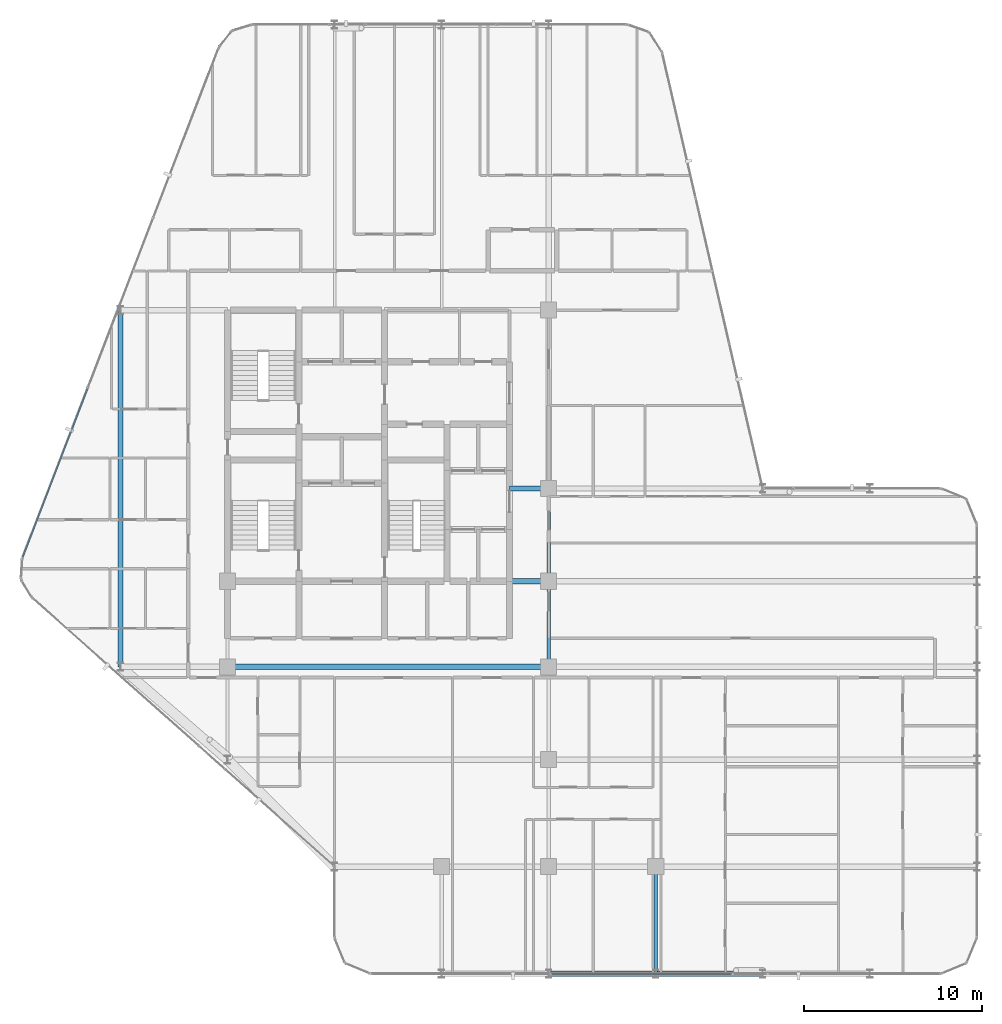
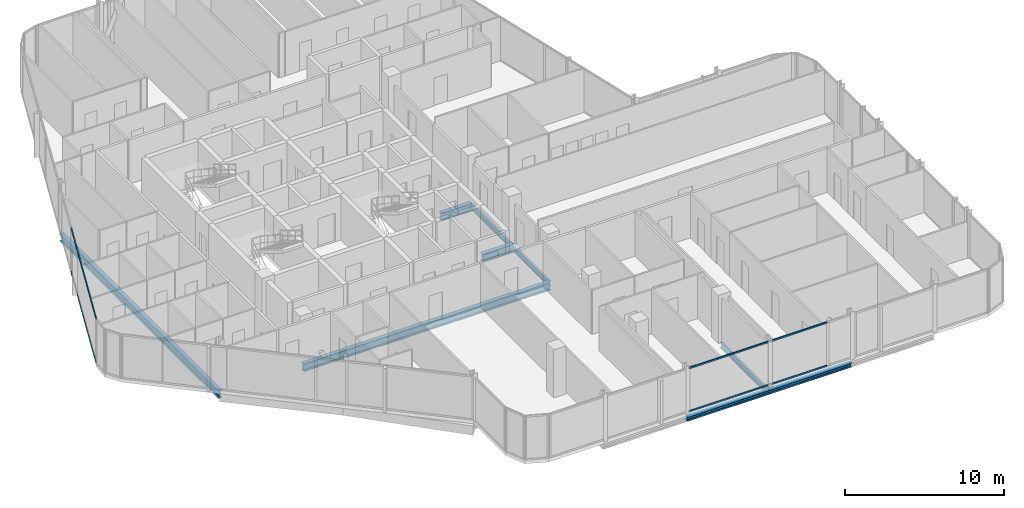
# One storey, part 9 of 29: 9 beams, 4 members, 2 elements without a shape of their own.
"""IFC4 building model written with IfcOpenShell, lengths in metres."""

from ifc_helpers import new_model, si_unit, direction, frame, origin, origin_2d, place, context, subcontext, project, spatial, hollow_rectangle, i_section, extrude, material, layer, layer_set, material_profile, profile_set, type_object, element, aggregate, save


model = new_model("IFC4")

# Units and contexts
model_context = context("Model", 3, precision=1e-05, world=origin(), true_north=direction((0.0, 1.0)))
body_context = subcontext(model_context, "Body", "Model", "MODEL_VIEW")
ifc_project = project(units=[si_unit("LENGTHUNIT", "METRE"), si_unit("AREAUNIT", "SQUARE_METRE"), si_unit("VOLUMEUNIT", "CUBIC_METRE"), si_unit("PLANEANGLEUNIT", "RADIAN"), si_unit("MASSUNIT", "GRAM", prefix="KILO")], contexts=[model_context])

# Site, building, storey
site_placement = place(None, origin())
site = spatial("IfcSite", under=ifc_project, at=site_placement, CompositionType="ELEMENT")
building_placement = place(site_placement, origin())
building = spatial("IfcBuilding", under=site, at=building_placement, Name="Keshet Zoharim Tower", CompositionType="ELEMENT")
storey_placement = place(building_placement, frame((0.0, 0.0, 203.199951171875)))
storey = spatial("IfcBuildingStorey", under=building, at=storey_placement, Name="L50", CompositionType="ELEMENT", Elevation=203.199951171875)

# Beams
ifc_material_1 = material(Name="Steel S355", Category="steel")
ifc_material_profile_1 = material_profile(ifc_material_1, i_section(OverallWidth=0.300048828125, OverallDepth=0.60009765625, WebThickness=0.015380859375, FlangeThickness=0.030029296875, FilletRadius=0.027099609375, at=origin_2d()), Name="HEB600")
ifc_profile_set_1 = profile_set([ifc_material_profile_1], Name="Steel S355")
beam_type_1 = type_object("IfcBeamType", Name="BM-CLK-HB600", PredefinedType="BEAM", material=ifc_profile_set_1)
for number, where, z_axis, x_axis, name in (
    (1, (30.800048828125, 22.699951171875, -0.60986328125), (1.0, 0.0, 0.0), (0.0, 1.0, 0.0), "L50 Core Wall Link Girder 01"),
    (2, (30.800048828125, 27.89990234375, -0.60986328125), (1.0, 0.0, 0.0), (0.0, 1.0, 0.0), "L50 Core Wall Link Girder 02"),
):
    element("IfcBeam", number, at=place(storey_placement, frame(where, z_axis=z_axis, x_axis=x_axis)), inside=storey, type_object=beam_type_1, Name=name, PredefinedType="BEAM", context=body_context, shape_type="SweptSolid", body=[
        extrude(i_section(OverallWidth=0.300048828125, OverallDepth=0.60009765625, WebThickness=0.015380859375, FlangeThickness=0.030029296875, FilletRadius=0.027099609375, at=origin_2d()), origin(), (0.0, 0.0, 1.0), 2.199951171875),
    ])
ifc_material_profile_2 = material_profile(ifc_material_1, i_section(OverallWidth=0.300048828125, OverallDepth=0.60009765625, WebThickness=0.015380859375, FlangeThickness=0.030029296875, FilletRadius=0.027099609375, at=origin_2d()), Name="HEB600")
ifc_profile_set_2 = profile_set([ifc_material_profile_2], Name="Steel S355")
beam_type_2 = type_object("IfcBeamType", Name="BM-LNG-HB600", PredefinedType="BEAM", material=ifc_profile_set_2)
beam_1_placement = place(storey_placement, frame((15.0, 17.89990234375, -0.60986328125), z_axis=(1.0, 0.0, 0.0), x_axis=(0.0, 1.0, 0.0)))
element("IfcBeam", 3, at=beam_1_placement, inside=storey, type_object=beam_type_2, Name="L50 Primary Girder X-012", PredefinedType="BEAM", context=body_context, shape_type="SweptSolid", body=[
    extrude(i_section(OverallWidth=0.300048828125, OverallDepth=0.60009765625, WebThickness=0.015380859375, FlangeThickness=0.030029296875, FilletRadius=0.027099609375, at=origin_2d()), origin(), (0.0, 0.0, 1.0), 18.0),
])
beam_2_placement = place(storey_placement, frame((9.0, 17.89990234375, -0.60986328125), z_axis=(0.0, 1.0, 0.0), x_axis=(-1.0, 0.0, 0.0)))
element("IfcBeam", 4, at=beam_2_placement, inside=storey, type_object=beam_type_2, Name="L50 Primary Girder Y-001", PredefinedType="BEAM", context=body_context, shape_type="SweptSolid", body=[
    extrude(i_section(OverallWidth=0.300048828125, OverallDepth=0.60009765625, WebThickness=0.015380859375, FlangeThickness=0.030029296875, FilletRadius=0.027099609375, at=origin_2d()), origin(), (0.0, 0.0, 1.0), 20.0),
])
ifc_material_profile_3 = material_profile(ifc_material_1, i_section(OverallWidth=0.300048828125, OverallDepth=0.300048828125, WebThickness=0.010986328125, FlangeThickness=0.01904296875, FilletRadius=0.027099609375, at=origin_2d()), Name="HEB300")
ifc_profile_set_3 = profile_set([ifc_material_profile_3], Name="Steel S355")
beam_type_3 = type_object("IfcBeamType", Name="BM-PRI-HB300", PredefinedType="BEAM", material=ifc_profile_set_3)
for number, where, z_axis, x_axis, name in (
    (5, (33.0, 0.699951171875, -0.4599609375), (1.0, 0.0, 0.0), (0.0, 1.0, 0.0), "L50 Primary Girder X-002"),
    (6, (39.0, 0.699951171875, -0.4599609375), (1.0, 0.0, 0.0), (0.0, 1.0, 0.0), "L50 Primary Girder X-003"),
):
    element("IfcBeam", number, at=place(storey_placement, frame(where, z_axis=z_axis, x_axis=x_axis)), inside=storey, type_object=beam_type_3, Name=name, PredefinedType="BEAM", context=body_context, shape_type="SweptSolid", body=[
        extrude(i_section(OverallWidth=0.300048828125, OverallDepth=0.300048828125, WebThickness=0.010986328125, FlangeThickness=0.01904296875, FilletRadius=0.027099609375, at=origin_2d()), origin(), (0.0, 0.0, 1.0), 6.0),
    ])
ifc_material_profile_4 = material_profile(ifc_material_1, i_section(OverallWidth=0.179931640625, OverallDepth=0.39990234375, WebThickness=0.008544921875, FlangeThickness=0.013427734375, FilletRadius=0.02099609375, at=origin_2d()), Name="IPE400")
ifc_profile_set_4 = profile_set([ifc_material_profile_4], Name="Steel S355")
beam_type_4 = type_object("IfcBeamType", Name="BM-PRI-IP400", PredefinedType="BEAM", material=ifc_profile_set_4)
beam_3_placement = place(storey_placement, frame((33.0, 17.89990234375, -0.510009765625), z_axis=(0.0, 1.0, 0.0), x_axis=(-1.0, 0.0, 0.0)))
element("IfcBeam", 7, at=beam_3_placement, inside=storey, type_object=beam_type_4, Name="L50 Primary Girder Y-008", PredefinedType="BEAM", context=body_context, shape_type="SweptSolid", body=[
    extrude(i_section(OverallWidth=0.179931640625, OverallDepth=0.39990234375, WebThickness=0.008544921875, FlangeThickness=0.013427734375, FilletRadius=0.02099609375, at=origin_2d()), origin(), (0.0, 0.0, 1.0), 4.800048828125),
])
beam_4_placement = place(storey_placement, frame((33.0, 22.699951171875, -0.510009765625), z_axis=(0.0, 1.0, 0.0), x_axis=(-1.0, 0.0, 0.0)))
element("IfcBeam", 8, at=beam_4_placement, inside=storey, type_object=beam_type_4, Name="L50 Primary Girder Y-009", PredefinedType="BEAM", context=body_context, shape_type="SweptSolid", body=[
    extrude(i_section(OverallWidth=0.179931640625, OverallDepth=0.39990234375, WebThickness=0.008544921875, FlangeThickness=0.013427734375, FilletRadius=0.02099609375, at=origin_2d()), origin(), (0.0, 0.0, 1.0), 5.199951171875),
])
beam_5_placement = place(storey_placement, frame((39.0, 0.699951171875, -0.510009765625), z_axis=(0.0, 1.0, 0.0), x_axis=(-1.0, 0.0, 0.0)))
element("IfcBeam", 9, at=beam_5_placement, inside=storey, type_object=beam_type_4, Name="L50 Primary Girder Y-012", PredefinedType="BEAM", context=body_context, shape_type="SweptSolid", body=[
    extrude(i_section(OverallWidth=0.179931640625, OverallDepth=0.39990234375, WebThickness=0.008544921875, FlangeThickness=0.013427734375, FilletRadius=0.02099609375, at=origin_2d()), origin(), (0.0, 0.0, 1.0), 6.0),
])

# Curtain wall, members
ifc_material_2 = material(Name="Aluminium 6063-T6", Category="aluminium")
ifc_layer = layer(ifc_material_2, 0.139892578125)
ifc_layer_set = layer_set([ifc_layer], Name="Aluminium 6063-T6")
curtain_wall_type = type_object("IfcCurtainWallType", Name="CW-SYS-05", PredefinedType="NOTDEFINED", material=ifc_layer_set)
curtain_wall_1_placement = place(storey_placement, origin())
curtain_wall_1 = element("IfcCurtainWall", 10, at=curtain_wall_1_placement, inside=storey, type_object=curtain_wall_type, Name="L50 Unitised Curtain Wall 06 Part 3", PredefinedType="NOTDEFINED")
ifc_material_profile_5 = material_profile(ifc_material_2, hollow_rectangle(XDim=0.074951171875, YDim=0.1201171875, WallThickness=0.00390625, at=origin_2d()), Name="TRN-75x120")
ifc_profile_set_5 = profile_set([ifc_material_profile_5], Name="Aluminium 6063-T6")
member_type = type_object("IfcMemberType", Name="CWT-T12", PredefinedType="USERDEFINED", material=ifc_profile_set_5)
member_1_placement = place(storey_placement, frame((43.251953125, 0.699951171875, 0.03515625), z_axis=(-1.0, 0.0, 0.0), x_axis=(0.0, -1.0, 0.0)))
member_1 = element("IfcMember", 11, at=member_1_placement, type_object=member_type, Name="CW-05 transom 1.1", ObjectType="TRANSOM", PredefinedType="USERDEFINED", context=body_context, shape_type="SweptSolid", body=[
    extrude(hollow_rectangle(XDim=0.074951171875, YDim=0.1201171875, WallThickness=0.00390625, at=origin_2d()), origin(), (0.0, 0.0, 1.0), 10.091064453125),
])
member_2_placement = place(storey_placement, frame((43.251953125, 0.699951171875, 3.35498046875), z_axis=(-1.0, 0.0, 0.0), x_axis=(0.0, -1.0, 0.0)))
member_2 = element("IfcMember", 12, at=member_2_placement, type_object=member_type, Name="CW-05 transom 1.2", ObjectType="TRANSOM", PredefinedType="USERDEFINED", context=body_context, shape_type="SweptSolid", body=[
    extrude(hollow_rectangle(XDim=0.074951171875, YDim=0.1201171875, WallThickness=0.00390625, at=origin_2d()), origin(), (0.0, 0.0, 1.0), 10.091064453125),
])
aggregate(curtain_wall_1, [member_1, member_2])

curtain_wall_2_placement = place(storey_placement, origin())
curtain_wall_2 = element("IfcCurtainWall", 13, at=curtain_wall_2_placement, inside=storey, type_object=curtain_wall_type, Name="L50 Unitised Curtain Wall 13", PredefinedType="NOTDEFINED")
member_3_placement = place(storey_placement, frame((3.522216796875, 24.058349609375, 0.03515625), z_axis=(0.358993631387, 0.93334000912, 0.0), x_axis=(-0.93334000912, 0.358993631387, 0.0)))
member_3 = element("IfcMember", 14, at=member_3_placement, type_object=member_type, Name="CW-05 transom 1.1", ObjectType="TRANSOM", PredefinedType="USERDEFINED", context=body_context, shape_type="SweptSolid", body=[
    extrude(hollow_rectangle(XDim=0.074951171875, YDim=0.1201171875, WallThickness=0.00390625, at=origin_2d()), origin(), (0.0, 0.0, 1.0), 10.1181640625),
])
member_4_placement = place(storey_placement, frame((3.522216796875, 24.058349609375, 3.35498046875), z_axis=(0.358993631387, 0.93334000912, 0.0), x_axis=(-0.93334000912, 0.358993631387, 0.0)))
member_4 = element("IfcMember", 15, at=member_4_placement, type_object=member_type, Name="CW-05 transom 1.2", ObjectType="TRANSOM", PredefinedType="USERDEFINED", context=body_context, shape_type="SweptSolid", body=[
    extrude(hollow_rectangle(XDim=0.074951171875, YDim=0.1201171875, WallThickness=0.00390625, at=origin_2d()), origin(), (0.0, 0.0, 1.0), 10.1181640625),
])
aggregate(curtain_wall_2, [member_3, member_4])

save(model, "model.ifc")
